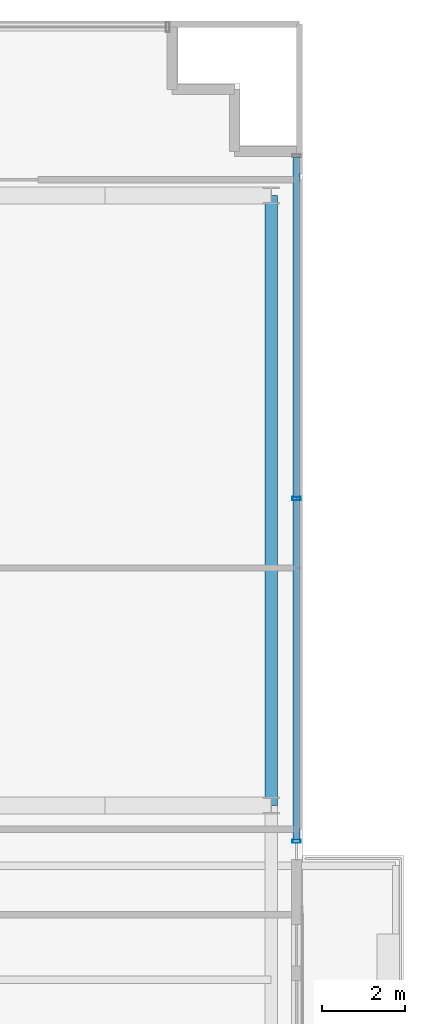
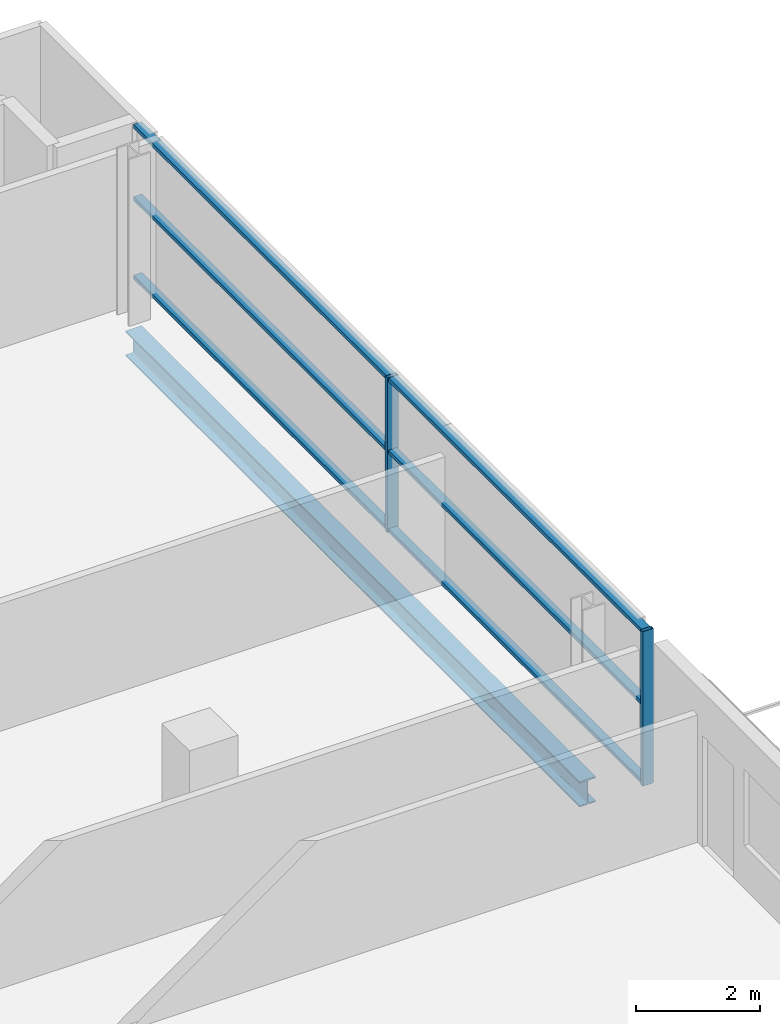
# One storey, part 11 of 27: 8 members, 1 beam, 1 element without a shape of its own.
"""IFC4 building model written with IfcOpenShell, lengths in metres."""

from ifc_helpers import new_model, si_unit, direction, frame, origin, origin_2d, place, context, subcontext, project, spatial, hollow_rectangle, i_section, extrude, source, transform, mapped, material, layer, layer_set, material_profile, profile_set, type_object, element, aggregate, save


model = new_model("IFC4")

# Units and contexts
model_context = context("Model", 3, precision=1e-05, world=origin(), true_north=direction((0.0, 1.0)))
body_context = subcontext(model_context, "Body", "Model", "MODEL_VIEW")
ifc_project = project(units=[si_unit("LENGTHUNIT", "METRE"), si_unit("AREAUNIT", "SQUARE_METRE"), si_unit("VOLUMEUNIT", "CUBIC_METRE"), si_unit("PLANEANGLEUNIT", "RADIAN"), si_unit("MASSUNIT", "GRAM", prefix="KILO")], contexts=[model_context])

# Site, building, storey
site_placement = place(None, origin())
site = spatial("IfcSite", under=ifc_project, at=site_placement, CompositionType="ELEMENT")
building_placement = place(site_placement, origin())
building = spatial("IfcBuilding", under=site, at=building_placement, Name="Zarnakvel Exchange Tower", CompositionType="ELEMENT")
storey_placement = place(building_placement, frame((0.0, 0.0, 113.199951171875)))
storey = spatial("IfcBuildingStorey", under=building, at=storey_placement, Name="L31", CompositionType="ELEMENT", Elevation=113.199951171875)

# Beam
ifc_material_1 = material(Name="Steel S355", Category="steel")
ifc_material_profile_1 = material_profile(ifc_material_1, i_section(OverallWidth=0.300048828125, OverallDepth=0.5, WebThickness=0.014404296875, FlangeThickness=0.028076171875, FilletRadius=0.027099609375, at=origin_2d()))
ifc_profile_set_1 = profile_set([ifc_material_profile_1], Name="Steel S355")
beam_type = type_object("IfcBeamType", Name="SP-02", PredefinedType="SPANDREL", material=ifc_profile_set_1)
beam_placement = place(storey_placement, frame((28.85009765625, -1.199951171875, -0.474853515625), z_axis=(0.0, 1.0, 0.0), x_axis=(-1.0, 0.0, 0.0)))
element("IfcBeam", 1, at=beam_placement, inside=storey, type_object=beam_type, Name="L31 Tower N-S Frame Beam", PredefinedType="SPANDREL", context=body_context, shape_type="SweptSolid", body=[
    extrude(i_section(OverallWidth=0.300048828125, OverallDepth=0.5, WebThickness=0.014404296875, FlangeThickness=0.028076171875, FilletRadius=0.027099609375, at=origin_2d()), origin(), (0.0, 0.0, 1.0), 14.699951171875),
])

# Curtain wall, members
ifc_material_2 = material(Name="Architectural Bronze Anodised Aluminium", Category="aluminium")
ifc_layer = layer(ifc_material_2, 0.199951171875)
ifc_layer_set = layer_set([ifc_layer], Name="Architectural Bronze Anodised Aluminium")
curtain_wall_type = type_object("IfcCurtainWallType", Name="CW-04", PredefinedType="NOTDEFINED", material=ifc_layer_set)
curtain_wall_placement = place(storey_placement, origin())
curtain_wall = element("IfcCurtainWall", 2, at=curtain_wall_placement, inside=storey, type_object=curtain_wall_type, Name="L31 Curtain Wall CW-L31-EN (CW-04)", PredefinedType="NOTDEFINED")
ifc_material_profile_2 = material_profile(ifc_material_2, hollow_rectangle(XDim=0.199951171875, YDim=0.074951171875, WallThickness=0.0048828125, at=origin_2d()))
ifc_profile_set_2 = profile_set([ifc_material_profile_2], Name="Architectural Bronze Anodised Aluminium")
member_type_1 = type_object("IfcMemberType", Name="CWM-04", PredefinedType="MULLION", material=ifc_profile_set_2)
shared_shape_1 = source(origin(), body_context, "Body", "SweptSolid", [
    extrude(hollow_rectangle(XDim=0.199951171875, YDim=0.074951171875, WallThickness=0.0048828125, at=origin_2d()), origin(), (0.0, 0.0, 1.0), 3.054931640625),
])
member_1_placement = place(storey_placement, frame((29.4599609375, -2.0625, 0.0), z_axis=(0.0, 0.0, 1.0), x_axis=(-1.0, 0.0, 0.0)))
member_1 = element("IfcMember", 3, at=member_1_placement, type_object=member_type_1, Name="CW-04 mullion 1", PredefinedType="MULLION", context=body_context, shape_type="MappedRepresentation", body=[
    mapped(shared_shape_1, transform((0.0, 0.0, 0.0), x_axis=(1.0, 0.0, 0.0), y_axis=(0.0, 1.0, 0.0), z_axis=(0.0, 0.0, 1.0), scale=1.0)),
])
member_2_placement = place(storey_placement, frame((29.4599609375, 6.199951171875, 0.0), z_axis=(0.0, 0.0, 1.0), x_axis=(-1.0, 0.0, 0.0)))
member_2 = element("IfcMember", 4, at=member_2_placement, type_object=member_type_1, Name="CW-04 mullion 2", PredefinedType="MULLION", context=body_context, shape_type="MappedRepresentation", body=[
    mapped(shared_shape_1, transform((0.0, 0.0, 0.0), x_axis=(1.0, 0.0, 0.0), y_axis=(0.0, 1.0, 0.0), z_axis=(0.0, 0.0, 1.0), scale=1.0)),
])
ifc_material_profile_3 = material_profile(ifc_material_2, hollow_rectangle(XDim=0.159912109375, YDim=0.074951171875, WallThickness=0.00390625, at=origin_2d()))
ifc_profile_set_3 = profile_set([ifc_material_profile_3], Name="Architectural Bronze Anodised Aluminium")
member_type_2 = type_object("IfcMemberType", Name="CWT-04", PredefinedType="USERDEFINED", material=ifc_profile_set_3)
shared_shape_2 = source(origin(), body_context, "Body", "SweptSolid", [
    extrude(hollow_rectangle(XDim=0.159912109375, YDim=0.074951171875, WallThickness=0.00390625, at=origin_2d()), origin(), (0.0, 0.0, 1.0), 8.1875),
])
member_3_placement = place(storey_placement, frame((29.4599609375, -2.02490234375, 0.03759765625), z_axis=(0.0, 1.0, 0.0), x_axis=(-1.0, 0.0, 0.0)))
member_3 = element("IfcMember", 5, at=member_3_placement, type_object=member_type_2, Name="CW-04 transom 1.1", ObjectType="TRANSOM", PredefinedType="USERDEFINED", context=body_context, shape_type="MappedRepresentation", body=[
    mapped(shared_shape_2, transform((0.0, 0.0, 0.0), x_axis=(1.0, 0.0, 0.0), y_axis=(0.0, 1.0, 0.0), z_axis=(0.0, 0.0, 1.0), scale=1.0)),
])
member_4_placement = place(storey_placement, frame((29.4599609375, -2.02490234375, 1.588623046875), z_axis=(0.0, 1.0, 0.0), x_axis=(-1.0, 0.0, 0.0)))
member_4 = element("IfcMember", 6, at=member_4_placement, type_object=member_type_2, Name="CW-04 transom 1.2", ObjectType="TRANSOM", PredefinedType="USERDEFINED", context=body_context, shape_type="MappedRepresentation", body=[
    mapped(shared_shape_2, transform((0.0, 0.0, 0.0), x_axis=(1.0, 0.0, 0.0), y_axis=(0.0, 1.0, 0.0), z_axis=(0.0, 0.0, 1.0), scale=1.0)),
])
member_5_placement = place(storey_placement, frame((29.4599609375, -2.02490234375, 3.017578125), z_axis=(0.0, 1.0, 0.0), x_axis=(-1.0, 0.0, 0.0)))
member_5 = element("IfcMember", 7, at=member_5_placement, type_object=member_type_2, Name="CW-04 transom 1.3", ObjectType="TRANSOM", PredefinedType="USERDEFINED", context=body_context, shape_type="MappedRepresentation", body=[
    mapped(shared_shape_2, transform((0.0, 0.0, 0.0), x_axis=(1.0, 0.0, 0.0), y_axis=(0.0, 1.0, 0.0), z_axis=(0.0, 0.0, 1.0), scale=1.0)),
])
member_6_placement = place(storey_placement, frame((29.4599609375, 6.237548828125, 0.03759765625), z_axis=(0.0, 1.0, 0.0), x_axis=(-1.0, 0.0, 0.0)))
member_6 = element("IfcMember", 8, at=member_6_placement, type_object=member_type_2, Name="CW-04 transom 2.1", ObjectType="TRANSOM", PredefinedType="USERDEFINED", context=body_context, shape_type="MappedRepresentation", body=[
    mapped(shared_shape_2, transform((0.0, 0.0, 0.0), x_axis=(1.0, 0.0, 0.0), y_axis=(0.0, 1.0, 0.0), z_axis=(0.0, 0.0, 1.0), scale=1.0)),
])
member_7_placement = place(storey_placement, frame((29.4599609375, 6.237548828125, 1.588623046875), z_axis=(0.0, 1.0, 0.0), x_axis=(-1.0, 0.0, 0.0)))
member_7 = element("IfcMember", 9, at=member_7_placement, type_object=member_type_2, Name="CW-04 transom 2.2", ObjectType="TRANSOM", PredefinedType="USERDEFINED", context=body_context, shape_type="MappedRepresentation", body=[
    mapped(shared_shape_2, transform((0.0, 0.0, 0.0), x_axis=(1.0, 0.0, 0.0), y_axis=(0.0, 1.0, 0.0), z_axis=(0.0, 0.0, 1.0), scale=1.0)),
])
member_8_placement = place(storey_placement, frame((29.4599609375, 6.237548828125, 3.017578125), z_axis=(0.0, 1.0, 0.0), x_axis=(-1.0, 0.0, 0.0)))
member_8 = element("IfcMember", 10, at=member_8_placement, type_object=member_type_2, Name="CW-04 transom 2.3", ObjectType="TRANSOM", PredefinedType="USERDEFINED", context=body_context, shape_type="MappedRepresentation", body=[
    mapped(shared_shape_2, transform((0.0, 0.0, 0.0), x_axis=(1.0, 0.0, 0.0), y_axis=(0.0, 1.0, 0.0), z_axis=(0.0, 0.0, 1.0), scale=1.0)),
])
aggregate(curtain_wall, [member_1, member_2, member_3, member_4, member_5, member_6, member_7, member_8])

save(model, "model.ifc")
